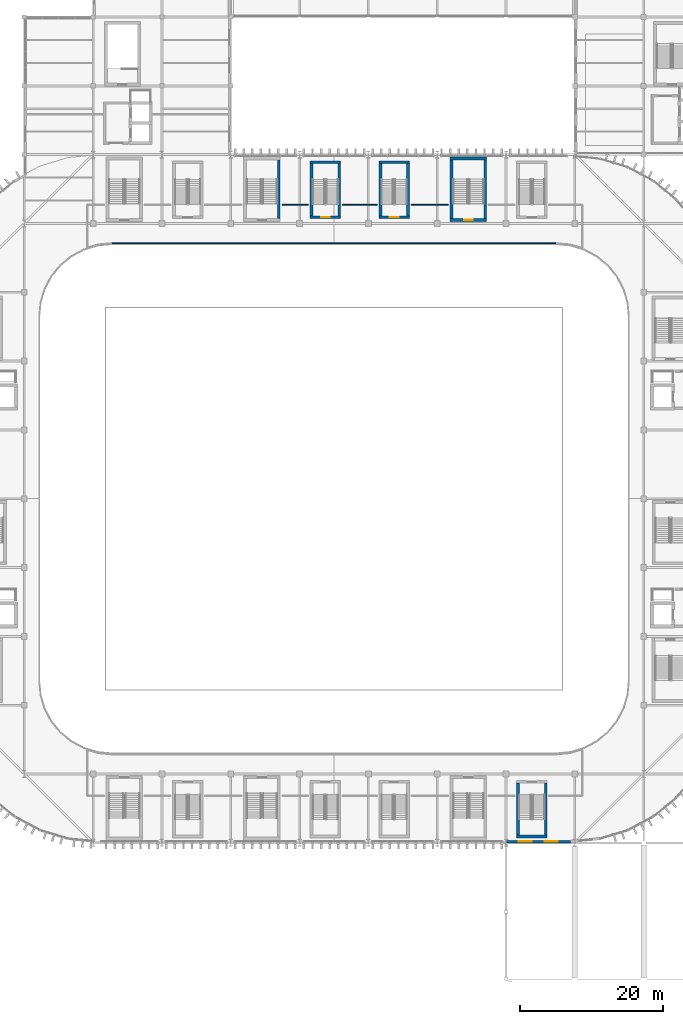
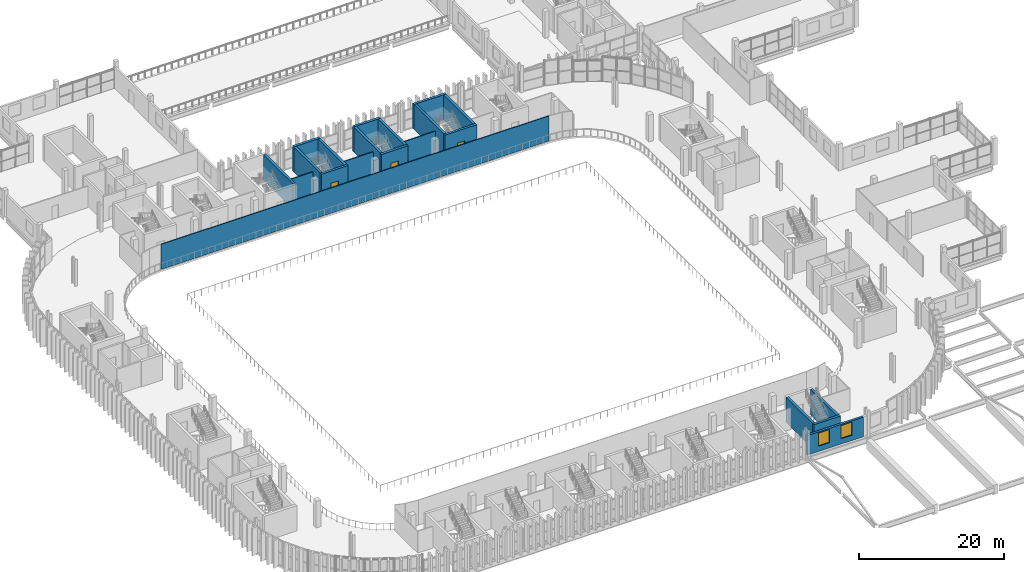
# One storey, part 49 of 75: 21 walls, 3 doors, 2 windows, 5 openings.
"""IFC4 building model written with IfcOpenShell, lengths in metres."""

from ifc_helpers import new_model, si_unit, direction, frame, frame_2d, origin, place, context, subcontext, project, spatial, rectangle, extrude, material, layer, layer_set, type_object, element, fill, save


model = new_model("IFC4")

# Units and contexts
model_context = context("Model", 3, precision=1e-05, world=origin(), true_north=direction((0.0, 1.0)))
body_context = subcontext(model_context, "Body", "Model", "MODEL_VIEW")
ifc_project = project(units=[si_unit("LENGTHUNIT", "METRE"), si_unit("AREAUNIT", "SQUARE_METRE"), si_unit("VOLUMEUNIT", "CUBIC_METRE"), si_unit("PLANEANGLEUNIT", "RADIAN"), si_unit("MASSUNIT", "GRAM", prefix="KILO")], contexts=[model_context])

# Site, building, storey
site_placement = place(None, origin())
site = spatial("IfcSite", under=ifc_project, at=site_placement, CompositionType="ELEMENT")
building_placement = place(site_placement, origin())
building = spatial("IfcBuilding", under=site, at=building_placement, Name="Caelomonte Colonnade Arena", CompositionType="ELEMENT")
storey_placement = place(building_placement, frame((0.0, 0.0, 14.10009765625)))
storey = spatial("IfcBuildingStorey", under=building, at=storey_placement, Name="L03", CompositionType="ELEMENT", Elevation=14.10009765625)

# Wall, openings, windows
ifc_material_1 = material(Name="Precast concrete C40/50", Category="concrete")
ifc_layer_1 = layer(ifc_material_1, 0.360107421875)
ifc_layer_set_1 = layer_set([ifc_layer_1], Name="Precast concrete C40/50")
wall_type_1 = type_object("IfcWallType", Name="ENV-WL-EXT36", PredefinedType="SOLIDWALL", material=ifc_layer_set_1)
wall_1_placement = place(storey_placement, frame((134.39990234375, 19.3798828125, 0.0), z_axis=(0.0, 0.0, 1.0), x_axis=(1.0, 0.0, 0.0)))
wall_1 = element("IfcWall", 1, at=wall_1_placement, inside=storey, type_object=wall_type_1, Name="L03 exterior wall EW-L03-0277", PredefinedType="SOLIDWALL", context=body_context, shape_type="SweptSolid", body=[
    extrude(rectangle(XDim=9.0, YDim=0.360107421875, at=frame_2d((4.5, 0.0))), origin(), (0.0, 0.0, 1.0), 3.312744140625),
])
opening_1_placement = place(wall_1_placement, frame((3.60009765625, 0.0, 0.89990234375), z_axis=(0.0, 0.0, 1.0), x_axis=(-1.0, 0.0, 0.0)))
opening_1 = element("IfcOpeningElement", 2, at=opening_1_placement, cuts=wall_1, Name="Opening WN-03", PredefinedType="OPENING", context=body_context, shape_type="SweptSolid", body=[
    extrude(rectangle(XDim=1.800048828125, YDim=2.199951171875, at=frame_2d((0.89990234375, 1.10009765625))), frame((0.0, 0.18994140625, 0.0), z_axis=(0.0, -1.0, 0.0), x_axis=(1.0, 0.0, 0.0)), (0.0, 0.0, 1.0), 0.380126953125),
])
opening_2_placement = place(wall_1_placement, frame((7.199951171875, 0.0, 0.89990234375), z_axis=(0.0, 0.0, 1.0), x_axis=(-1.0, 0.0, 0.0)))
opening_2 = element("IfcOpeningElement", 3, at=opening_2_placement, cuts=wall_1, Name="Opening WN-03", PredefinedType="OPENING", context=body_context, shape_type="SweptSolid", body=[
    extrude(rectangle(XDim=1.800048828125, YDim=2.199951171875, at=frame_2d((0.89990234375, 1.10009765625))), frame((0.0, 0.18994140625, 0.0), z_axis=(0.0, -1.0, 0.0), x_axis=(1.0, 0.0, 0.0)), (0.0, 0.0, 1.0), 0.380126953125),
])
ifc_material_2 = material(Name="Solar-control bronze low-E double glazing", Category="glass")
window_type = type_object("IfcWindowType", Name="ENV-WN-V3C", PartitioningType="DOUBLE_PANEL_VERTICAL", PredefinedType="WINDOW", material=ifc_material_2)
window_1_placement = place(opening_1_placement, origin())
window_1 = element("IfcWindow", 4, at=window_1_placement, inside=storey, type_object=window_type, Name="L03 facade window 211", OverallHeight=2.199951171875, OverallWidth=1.800048828125, PartitioningType="SINGLE_PANEL", PredefinedType="WINDOW", context=body_context, shape_type="SweptSolid", body=[
    extrude(rectangle(XDim=1.800048828125, YDim=2.199951171875, at=frame_2d((0.89990234375, 1.10009765625))), frame((0.0, 0.030029296875, 0.0), z_axis=(0.0, -1.0, 0.0), x_axis=(1.0, 0.0, 0.0)), (0.0, 0.0, 1.0), 0.06005859375),
])
fill(opening_1, window_1)
window_2_placement = place(opening_2_placement, origin())
window_2 = element("IfcWindow", 5, at=window_2_placement, inside=storey, type_object=window_type, Name="L03 facade window 212", OverallHeight=2.199951171875, OverallWidth=1.800048828125, PartitioningType="SINGLE_PANEL", PredefinedType="WINDOW", context=body_context, shape_type="SweptSolid", body=[
    extrude(rectangle(XDim=1.800048828125, YDim=2.199951171875, at=frame_2d((0.89990234375, 1.10009765625))), frame((0.0, 0.030029296875, 0.0), z_axis=(0.0, -1.0, 0.0), x_axis=(1.0, 0.0, 0.0)), (0.0, 0.0, 1.0), 0.06005859375),
])
fill(opening_2, window_2)

# Walls
ifc_material_3 = material(Name="Suite demising stud partition")
ifc_layer_2 = layer(ifc_material_3, 0.139892578125)
ifc_layer_set_2 = layer_set([ifc_layer_2], Name="Suite demising stud partition")
wall_type_2 = type_object("IfcWallType", Name="INT-WL-PT14", PredefinedType="PARTITIONING", material=ifc_layer_set_2)
wall_2_placement = place(storey_placement, frame((103.14990234375, 108.199951171875, 0.0), z_axis=(0.0, 0.0, 1.0), x_axis=(1.0, 0.0, 0.0)))
element("IfcWall", 6, at=wall_2_placement, inside=storey, type_object=wall_type_2, Name="L03 Hospitality Suite North Ring partition 219", PredefinedType="PARTITIONING", context=body_context, shape_type="SweptSolid", body=[
    extrude(rectangle(XDim=3.670166015625, YDim=0.139892578125, at=frame_2d((1.8349609375, 0.0))), origin(), (0.0, 0.0, 1.0), 3.637939453125),
])
wall_3_placement = place(storey_placement, frame((111.580078125, 108.199951171875, 0.0), z_axis=(0.0, 0.0, 1.0), x_axis=(1.0, 0.0, 0.0)))
element("IfcWall", 7, at=wall_3_placement, inside=storey, type_object=wall_type_2, Name="L03 Hospitality Suite North Ring partition 220", PredefinedType="PARTITIONING", context=body_context, shape_type="SweptSolid", body=[
    extrude(rectangle(XDim=4.83984375, YDim=0.139892578125, at=frame_2d((2.419921875, 0.0))), origin(), (0.0, 0.0, 1.0), 3.637939453125),
])
wall_4_placement = place(storey_placement, frame((121.179931640625, 108.199951171875, 0.0), z_axis=(0.0, 0.0, 1.0), x_axis=(1.0, 0.0, 0.0)))
element("IfcWall", 8, at=wall_4_placement, inside=storey, type_object=wall_type_2, Name="L03 Hospitality Suite North Ring partition 221", PredefinedType="PARTITIONING", context=body_context, shape_type="SweptSolid", body=[
    extrude(rectangle(XDim=5.170166015625, YDim=0.139892578125, at=frame_2d((2.5849609375, 0.0))), origin(), (0.0, 0.0, 1.0), 3.637939453125),
])
wall_5_placement = place(storey_placement, frame((141.39990234375, 102.820068359375, 0.0), z_axis=(0.0, 0.0, 1.0), x_axis=(-1.0, 0.0, 0.0)))
element("IfcWall", 9, at=wall_5_placement, inside=storey, type_object=wall_type_2, Name="L03 Hospitality Suite North Ring partition 227", PredefinedType="PARTITIONING", context=body_context, shape_type="SweptSolid", body=[
    extrude(rectangle(XDim=62.0, YDim=0.139892578125, at=frame_2d((31.0, 0.0))), origin(), (0.0, 0.0, 1.0), 4.239990234375),
])
ifc_material_4 = material(Name="Concrete C50/60", Category="concrete")
ifc_layer_3 = layer(ifc_material_4, 0.39990234375)
ifc_layer_set_3 = layer_set([ifc_layer_3], Name="Concrete C50/60")
wall_type_3 = type_object("IfcWallType", Name="INT-WL-SH40", PredefinedType="SHEAR", material=ifc_layer_set_3)
wall_6_placement = place(storey_placement, frame((102.699951171875, 106.300048828125, 0.0), z_axis=(0.0, 0.0, 1.0), x_axis=(0.0, 1.0, 0.0)))
element("IfcWall", 10, at=wall_6_placement, inside=storey, type_object=wall_type_3, Name="CW-ST-15 L03 east enclosure wall", PredefinedType="SHEAR", context=body_context, shape_type="SweptSolid", body=[
    extrude(rectangle(XDim=8.14990234375, YDim=0.39990234375, at=frame_2d((4.074951171875, 0.0))), origin(), (0.0, 0.0, 1.0), 4.239990234375),
])

# Wall, opening, door
wall_7_placement = place(storey_placement, frame((126.60009765625, 106.10009765625, 0.0), z_axis=(0.0, 0.0, 1.0), x_axis=(1.0, 0.0, 0.0)))
wall_7 = element("IfcWall", 11, at=wall_7_placement, inside=storey, type_object=wall_type_3, Name="CW-ST-16 L03 south enclosure wall", PredefinedType="SHEAR", context=body_context, shape_type="SweptSolid", body=[
    extrude(rectangle(XDim=5.099853515625, YDim=0.39990234375, at=frame_2d((2.5498046875, 0.0))), origin(), (0.0, 0.0, 1.0), 4.239990234375),
])
opening_3_placement = place(wall_7_placement, frame((3.14990234375, 0.0, 0.0), z_axis=(0.0, 0.0, 1.0), x_axis=(-1.0, 0.0, 0.0)))
opening_3 = element("IfcOpeningElement", 12, at=opening_3_placement, cuts=wall_7, Name="Opening FD-1", PredefinedType="OPENING", context=body_context, shape_type="SweptSolid", body=[
    extrude(rectangle(XDim=1.199951171875, YDim=2.199951171875, at=frame_2d((0.60009765625, 1.10009765625))), frame((0.0, 0.2099609375, 0.0), z_axis=(0.0, -1.0, 0.0), x_axis=(1.0, 0.0, 0.0)), (0.0, 0.0, 1.0), 0.419921875),
])
ifc_material_5 = material(Name="Fire-rated steel door", Category="steel")
door_type = type_object("IfcDoorType", Name="INT-DR-FD90A", OperationType="NOTDEFINED", PredefinedType="DOOR", material=ifc_material_5)
door_1_placement = place(opening_3_placement, origin())
door_1 = element("IfcDoor", 13, at=door_1_placement, inside=storey, type_object=door_type, Name="Protected exit stair ST-16 L03 fire door", OperationType="SINGLE_SWING_LEFT", OverallHeight=2.199951171875, OverallWidth=1.199951171875, PredefinedType="DOOR", context=body_context, shape_type="SweptSolid", body=[
    extrude(rectangle(XDim=1.199951171875, YDim=2.199951171875, at=frame_2d((0.60009765625, 1.10009765625))), frame((0.0, 0.02490234375, 0.0), z_axis=(0.0, -1.0, 0.0), x_axis=(1.0, 0.0, 0.0)), (0.0, 0.0, 1.0), 0.050048828125),
])
fill(opening_3, door_1)

# Walls
wall_8_placement = place(storey_placement, frame((131.699951171875, 114.64990234375, 0.0), z_axis=(0.0, 0.0, 1.0), x_axis=(-1.0, 0.0, 0.0)))
element("IfcWall", 14, at=wall_8_placement, inside=storey, type_object=wall_type_3, Name="CW-ST-16 L03 north enclosure wall", PredefinedType="SHEAR", context=body_context, shape_type="SweptSolid", body=[
    extrude(rectangle(XDim=5.099853515625, YDim=0.39990234375, at=frame_2d((2.5498046875, 0.0))), origin(), (0.0, 0.0, 1.0), 4.239990234375),
])
for number, where, z_axis, x_axis, name in (
    (15, (126.800048828125, 114.449951171875, 0.0), (0.0, 0.0, 1.0), (0.0, -1.0, 0.0), "CW-ST-16 L03 west enclosure wall"),
    (16, (131.5, 106.300048828125, 0.0), (0.0, 0.0, 1.0), (0.0, 1.0, 0.0), "CW-ST-16 L03 east enclosure wall"),
):
    element("IfcWall", number, at=place(storey_placement, frame(where, z_axis=z_axis, x_axis=x_axis)), inside=storey, type_object=wall_type_3, Name=name, PredefinedType="SHEAR", context=body_context, shape_type="SweptSolid", body=[
        extrude(rectangle(XDim=8.14990234375, YDim=0.39990234375, at=frame_2d((4.074951171875, 0.0))), origin(), (0.0, 0.0, 1.0), 4.239990234375),
    ])
wall_9_placement = place(storey_placement, frame((135.8701171875, 20.070068359375, 0.0), z_axis=(0.0, 0.0, 1.0), x_axis=(1.0, 0.0, 0.0)))
element("IfcWall", 17, at=wall_9_placement, inside=storey, type_object=wall_type_3, Name="CW-ST-V12 L03 south enclosure wall", PredefinedType="SHEAR", context=body_context, shape_type="SweptSolid", body=[
    extrude(rectangle(XDim=4.259765625, YDim=0.39990234375, at=frame_2d((2.1298828125, 0.0))), origin(), (0.0, 0.0, 1.0), 4.239990234375),
])
for number, where, z_axis, x_axis, name in (
    (18, (136.070068359375, 27.530029296875, 0.0), (0.0, 0.0, 1.0), (0.0, -1.0, 0.0), "CW-ST-V12 L03 west enclosure wall"),
    (19, (139.929931640625, 20.27001953125, 0.0), (0.0, 0.0, 1.0), (0.0, 1.0, 0.0), "CW-ST-V12 L03 east enclosure wall"),
):
    element("IfcWall", number, at=place(storey_placement, frame(where, z_axis=z_axis, x_axis=x_axis)), inside=storey, type_object=wall_type_3, Name=name, PredefinedType="SHEAR", context=body_context, shape_type="SweptSolid", body=[
        extrude(rectangle(XDim=7.260009765625, YDim=0.39990234375, at=frame_2d((3.6298828125, 0.0))), origin(), (0.0, 0.0, 1.0), 4.239990234375),
    ])

# Wall, opening, door
wall_10_placement = place(storey_placement, frame((107.070068359375, 106.469970703125, 0.0), z_axis=(0.0, 0.0, 1.0), x_axis=(1.0, 0.0, 0.0)))
wall_10 = element("IfcWall", 20, at=wall_10_placement, inside=storey, type_object=wall_type_3, Name="CW-ST-V14 L03 south enclosure wall", PredefinedType="SHEAR", context=body_context, shape_type="SweptSolid", body=[
    extrude(rectangle(XDim=4.260009765625, YDim=0.39990234375, at=frame_2d((2.1298828125, 0.0))), origin(), (0.0, 0.0, 1.0), 4.239990234375),
])
opening_4_placement = place(wall_10_placement, frame((2.72998046875, 0.0, 0.0), z_axis=(0.0, 0.0, 1.0), x_axis=(-1.0, 0.0, 0.0)))
opening_4 = element("IfcOpeningElement", 21, at=opening_4_placement, cuts=wall_10, Name="Opening FD-1", PredefinedType="OPENING", context=body_context, shape_type="SweptSolid", body=[
    extrude(rectangle(XDim=1.199951171875, YDim=2.199951171875, at=frame_2d((0.60009765625, 1.10009765625))), frame((0.0, 0.2099609375, 0.0), z_axis=(0.0, -1.0, 0.0), x_axis=(1.0, 0.0, 0.0)), (0.0, 0.0, 1.0), 0.419921875),
])
door_2_placement = place(opening_4_placement, origin())
door_2 = element("IfcDoor", 22, at=door_2_placement, inside=storey, type_object=door_type, Name="Vomitory VOM-14 stair ST-V14 L03 portal door", OperationType="SINGLE_SWING_RIGHT", OverallHeight=2.199951171875, OverallWidth=1.199951171875, PredefinedType="DOOR", context=body_context, shape_type="SweptSolid", body=[
    extrude(rectangle(XDim=1.199951171875, YDim=2.199951171875, at=frame_2d((0.60009765625, 1.10009765625))), frame((0.0, 0.02490234375, 0.0), z_axis=(0.0, -1.0, 0.0), x_axis=(1.0, 0.0, 0.0)), (0.0, 0.0, 1.0), 0.050048828125),
])
fill(opening_4, door_2)

# Walls
wall_11_placement = place(storey_placement, frame((111.330078125, 114.1298828125, 0.0), z_axis=(0.0, 0.0, 1.0), x_axis=(-1.0, 0.0, 0.0)))
element("IfcWall", 23, at=wall_11_placement, inside=storey, type_object=wall_type_3, Name="CW-ST-V14 L03 north enclosure wall", PredefinedType="SHEAR", context=body_context, shape_type="SweptSolid", body=[
    extrude(rectangle(XDim=4.260009765625, YDim=0.39990234375, at=frame_2d((2.1298828125, 0.0))), origin(), (0.0, 0.0, 1.0), 4.239990234375),
])
for number, where, z_axis, x_axis, name in (
    (24, (107.27001953125, 113.929931640625, 0.0), (0.0, 0.0, 1.0), (0.0, -1.0, 0.0), "CW-ST-V14 L03 west enclosure wall"),
    (25, (111.1298828125, 106.669921875, 0.0), (0.0, 0.0, 1.0), (0.0, 1.0, 0.0), "CW-ST-V14 L03 east enclosure wall"),
):
    element("IfcWall", number, at=place(storey_placement, frame(where, z_axis=z_axis, x_axis=x_axis)), inside=storey, type_object=wall_type_3, Name=name, PredefinedType="SHEAR", context=body_context, shape_type="SweptSolid", body=[
        extrude(rectangle(XDim=7.260009765625, YDim=0.39990234375, at=frame_2d((3.6298828125, 0.0))), origin(), (0.0, 0.0, 1.0), 4.239990234375),
    ])

# Wall, opening, door
wall_12_placement = place(storey_placement, frame((116.669921875, 106.469970703125, 0.0), z_axis=(0.0, 0.0, 1.0), x_axis=(1.0, 0.0, 0.0)))
wall_12 = element("IfcWall", 26, at=wall_12_placement, inside=storey, type_object=wall_type_3, Name="CW-ST-V15 L03 south enclosure wall", PredefinedType="SHEAR", context=body_context, shape_type="SweptSolid", body=[
    extrude(rectangle(XDim=4.260009765625, YDim=0.39990234375, at=frame_2d((2.1298828125, 0.0))), origin(), (0.0, 0.0, 1.0), 4.239990234375),
])
opening_5_placement = place(wall_12_placement, frame((2.72998046875, 0.0, 0.0), z_axis=(0.0, 0.0, 1.0), x_axis=(-1.0, 0.0, 0.0)))
opening_5 = element("IfcOpeningElement", 27, at=opening_5_placement, cuts=wall_12, Name="Opening FD-1", PredefinedType="OPENING", context=body_context, shape_type="SweptSolid", body=[
    extrude(rectangle(XDim=1.199951171875, YDim=2.199951171875, at=frame_2d((0.60009765625, 1.10009765625))), frame((0.0, 0.2099609375, 0.0), z_axis=(0.0, -1.0, 0.0), x_axis=(1.0, 0.0, 0.0)), (0.0, 0.0, 1.0), 0.419921875),
])
door_3_placement = place(opening_5_placement, origin())
door_3 = element("IfcDoor", 28, at=door_3_placement, inside=storey, type_object=door_type, Name="Vomitory VOM-15 stair ST-V15 L03 portal door", OperationType="SINGLE_SWING_RIGHT", OverallHeight=2.199951171875, OverallWidth=1.199951171875, PredefinedType="DOOR", context=body_context, shape_type="SweptSolid", body=[
    extrude(rectangle(XDim=1.199951171875, YDim=2.199951171875, at=frame_2d((0.60009765625, 1.10009765625))), frame((0.0, 0.02490234375, 0.0), z_axis=(0.0, -1.0, 0.0), x_axis=(1.0, 0.0, 0.0)), (0.0, 0.0, 1.0), 0.050048828125),
])
fill(opening_5, door_3)

# Walls
wall_13_placement = place(storey_placement, frame((120.929931640625, 114.1298828125, 0.0), z_axis=(0.0, 0.0, 1.0), x_axis=(-1.0, 0.0, 0.0)))
element("IfcWall", 29, at=wall_13_placement, inside=storey, type_object=wall_type_3, Name="CW-ST-V15 L03 north enclosure wall", PredefinedType="SHEAR", context=body_context, shape_type="SweptSolid", body=[
    extrude(rectangle(XDim=4.260009765625, YDim=0.39990234375, at=frame_2d((2.1298828125, 0.0))), origin(), (0.0, 0.0, 1.0), 4.239990234375),
])
for number, where, z_axis, x_axis, name in (
    (30, (116.8701171875, 113.929931640625, 0.0), (0.0, 0.0, 1.0), (0.0, -1.0, 0.0), "CW-ST-V15 L03 west enclosure wall"),
    (31, (120.72998046875, 106.669921875, 0.0), (0.0, 0.0, 1.0), (0.0, 1.0, 0.0), "CW-ST-V15 L03 east enclosure wall"),
):
    element("IfcWall", number, at=place(storey_placement, frame(where, z_axis=z_axis, x_axis=x_axis)), inside=storey, type_object=wall_type_3, Name=name, PredefinedType="SHEAR", context=body_context, shape_type="SweptSolid", body=[
        extrude(rectangle(XDim=7.260009765625, YDim=0.39990234375, at=frame_2d((3.6298828125, 0.0))), origin(), (0.0, 0.0, 1.0), 4.239990234375),
    ])

save(model, "model.ifc")
